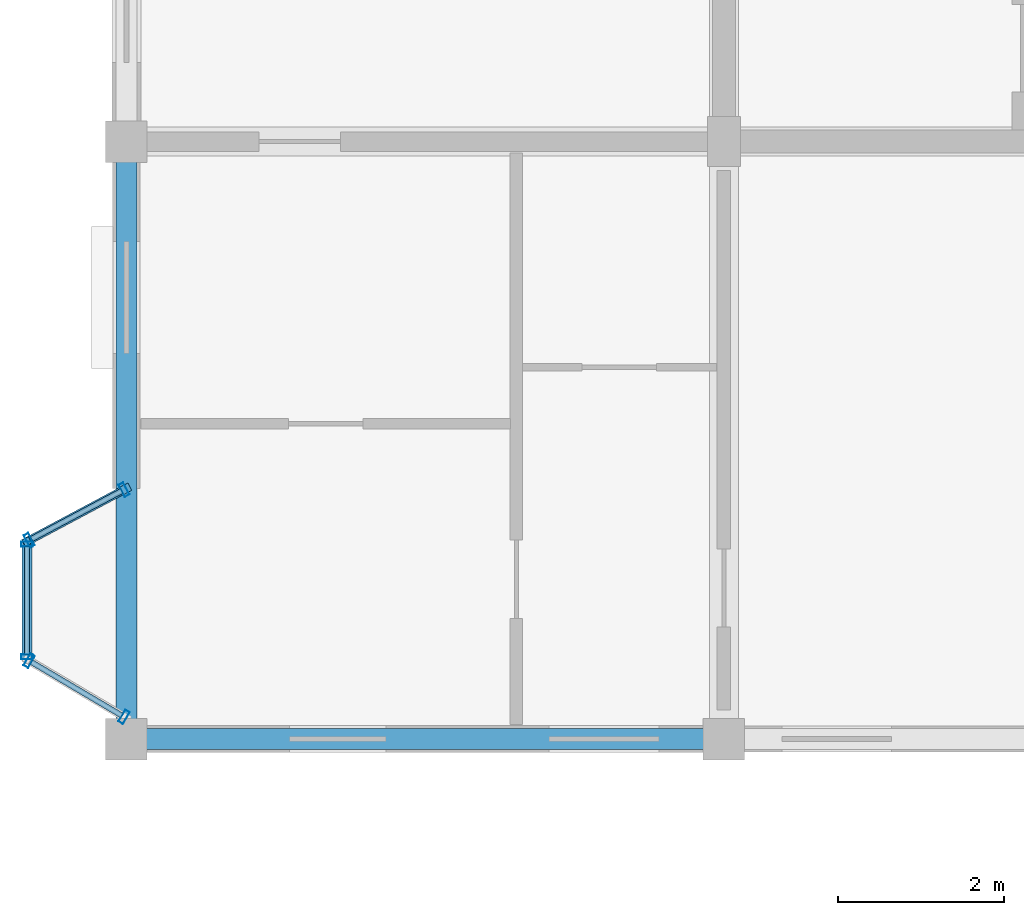
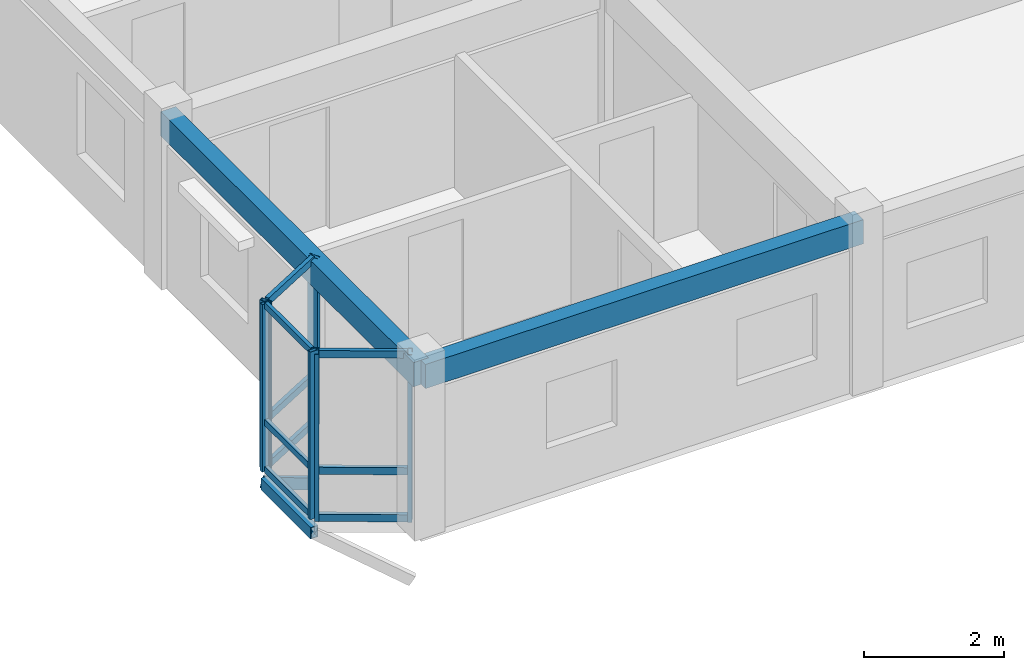
# One storey, part 14 of 70: 17 members, 2 beams, 3 elements without a shape of their own.
"""IFC4 building model written with IfcOpenShell, lengths in metres."""

from ifc_helpers import new_model, si_unit, direction, frame, origin, origin_2d, place, context, subcontext, project, spatial, rectangle, hollow_rectangle, extrude, material, layer, layer_set, material_profile, profile_set, type_object, element, aggregate, save


model = new_model("IFC4")

# Units and contexts
model_context = context("Model", 3, precision=1e-05, world=origin(), true_north=direction((0.0, 1.0)))
body_context = subcontext(model_context, "Body", "Model", "MODEL_VIEW")
ifc_project = project(units=[si_unit("LENGTHUNIT", "METRE"), si_unit("AREAUNIT", "SQUARE_METRE"), si_unit("VOLUMEUNIT", "CUBIC_METRE"), si_unit("PLANEANGLEUNIT", "RADIAN"), si_unit("MASSUNIT", "GRAM", prefix="KILO"), si_unit("THERMODYNAMICTEMPERATUREUNIT", "KELVIN"), si_unit("POWERUNIT", "WATT")], contexts=[model_context])

# Site, building, storey
site_placement = place(None, origin())
site = spatial("IfcSite", under=ifc_project, at=site_placement, CompositionType="ELEMENT")
building_placement = place(site_placement, origin())
building = spatial("IfcBuilding", under=site, at=building_placement, Name="Tavuni Mirador Residences", CompositionType="ELEMENT")
storey_placement = place(building_placement, frame((0.0, 0.0, 23.39990234375)))
storey = spatial("IfcBuildingStorey", under=building, at=storey_placement, Name="L07", CompositionType="ELEMENT", Elevation=23.39990234375)

# Beams
ifc_material_1 = material(Name="Precast concrete C40/50", Category="concrete")
ifc_material_profile_1 = material_profile(ifc_material_1, rectangle(XDim=0.25, YDim=0.419921875, at=origin_2d()), Name="PC 250x420", Category="concrete")
ifc_profile_set_1 = profile_set([ifc_material_profile_1], Name="Precast concrete C40/50")
beam_type = type_object("IfcBeamType", Name="BT-SP420", PredefinedType="SPANDREL", material=ifc_profile_set_1)
for number, where, z_axis, x_axis, name in (
    (1, (3.60009765625, 64.800048828125, 2.7001953125), (1.0, 0.0, 0.0), (0.0, 1.0, 0.0), "BMX-BLK-B-L07-00-00"),
    (2, (3.60009765625, 64.800048828125, 2.7001953125), (0.0, 1.0, 0.0), (-1.0, 0.0, 0.0), "BMY-BLK-B-L07-00-00"),
):
    element("IfcBeam", number, at=place(storey_placement, frame(where, z_axis=z_axis, x_axis=x_axis)), inside=storey, type_object=beam_type, Name=name, PredefinedType="SPANDREL", context=body_context, shape_type="SweptSolid", body=[
        extrude(rectangle(XDim=0.25, YDim=0.419921875, at=origin_2d()), origin(), (0.0, 0.0, 1.0), 7.199951171875),
    ])

# Curtain wall, members
ifc_material_2 = material(Name="Anodised aluminium", Category="aluminium")
ifc_layer_1 = layer(ifc_material_2, 0.175048828125, Name="Anodised aluminium", Category="aluminium")
ifc_layer_set_1 = layer_set([ifc_layer_1], Name="Anodised aluminium")
curtain_wall_type_1 = type_object("IfcCurtainWallType", Name="CWT-MIR-C", PredefinedType="NOTDEFINED", material=ifc_layer_set_1)
curtain_wall_1_placement = place(storey_placement, origin())
curtain_wall_1 = element("IfcCurtainWall", 3, at=curtain_wall_1_placement, inside=storey, type_object=curtain_wall_type_1, Name="CW-MIR-B-W1-L07-MF", PredefinedType="NOTDEFINED")
ifc_material_profile_2 = material_profile(ifc_material_2, hollow_rectangle(XDim=0.06005859375, YDim=0.139892578125, WallThickness=0.00390625, at=origin_2d()), Name="ALU 60x140x4.0", Category="aluminium")
ifc_profile_set_2 = profile_set([ifc_material_profile_2], Name="Anodised aluminium")
member_type_1 = type_object("IfcMemberType", Name="CWM-140", PredefinedType="MULLION", material=ifc_profile_set_2)
member_1_placement = place(storey_placement, frame((2.39990234375, 67.14990234375, 0.0), z_axis=(0.0, 0.0, 1.0), x_axis=(0.0, -1.0, 0.0)))
member_1 = element("IfcMember", 4, at=member_1_placement, type_object=member_type_1, Name="CW-03 mullion 1", PredefinedType="MULLION", context=body_context, shape_type="SweptSolid", body=[
    extrude(hollow_rectangle(XDim=0.06005859375, YDim=0.139892578125, WallThickness=0.00390625, at=origin_2d()), origin(), (0.0, 0.0, 1.0), 2.91015625),
])
member_2_placement = place(storey_placement, frame((2.39990234375, 65.7900390625, 0.0), z_axis=(0.0, 0.0, 1.0), x_axis=(0.0, -1.0, 0.0)))
member_2 = element("IfcMember", 5, at=member_2_placement, type_object=member_type_1, Name="CW-03 mullion 2", PredefinedType="MULLION", context=body_context, shape_type="SweptSolid", body=[
    extrude(hollow_rectangle(XDim=0.06005859375, YDim=0.139892578125, WallThickness=0.00390625, at=origin_2d()), origin(), (0.0, 0.0, 1.0), 2.91015625),
])

ifc_layer_2 = layer(ifc_material_2, 0.14990234375, Name="Anodised aluminium", Category="aluminium")
ifc_layer_set_2 = layer_set([ifc_layer_2], Name="Anodised aluminium")
curtain_wall_type_2 = type_object("IfcCurtainWallType", Name="CWT-MIR-B", PredefinedType="NOTDEFINED", material=ifc_layer_set_2)
curtain_wall_2_placement = place(storey_placement, origin())
curtain_wall_2 = element("IfcCurtainWall", 6, at=curtain_wall_2_placement, inside=storey, type_object=curtain_wall_type_2, Name="CW-MIR-B-W1-L07-M1", PredefinedType="NOTDEFINED")
ifc_material_profile_3 = material_profile(ifc_material_2, hollow_rectangle(XDim=0.06494140625, YDim=0.1650390625, WallThickness=0.00439453125, at=origin_2d()), Name="ALU 65x165x4.5", Category="aluminium")
ifc_profile_set_3 = profile_set([ifc_material_profile_3], Name="Anodised aluminium")
member_type_2 = type_object("IfcMemberType", Name="CWM-165", PredefinedType="MULLION", material=ifc_profile_set_3)
member_3_placement = place(storey_placement, frame((3.5712890625, 67.8046875, 0.0), z_axis=(0.0, 0.0, 1.0), x_axis=(-0.882352941175, -0.470588235296, 0.0)))
member_3 = element("IfcMember", 7, at=member_3_placement, type_object=member_type_2, Name="CW-02 mullion 1", PredefinedType="MULLION", context=body_context, shape_type="SweptSolid", body=[
    extrude(hollow_rectangle(XDim=0.06494140625, YDim=0.1650390625, WallThickness=0.00439453125, at=origin_2d()), origin(), (0.0, 0.0, 1.0), 2.91015625),
])
member_4_placement = place(storey_placement, frame((2.4287109375, 67.1953125, 0.0), z_axis=(0.0, 0.0, 1.0), x_axis=(-0.882352941175, -0.470588235296, 0.0)))
member_4 = element("IfcMember", 8, at=member_4_placement, type_object=member_type_2, Name="CW-02 mullion 2", PredefinedType="MULLION", context=body_context, shape_type="SweptSolid", body=[
    extrude(hollow_rectangle(XDim=0.06494140625, YDim=0.1650390625, WallThickness=0.00439453125, at=origin_2d()), origin(), (0.0, 0.0, 1.0), 2.91015625),
])

ifc_layer_3 = layer(ifc_material_2, 0.159912109375, Name="Anodised aluminium", Category="aluminium")
ifc_layer_set_3 = layer_set([ifc_layer_3], Name="Anodised aluminium")
curtain_wall_type_3 = type_object("IfcCurtainWallType", Name="CWT-MIR-D", PredefinedType="NOTDEFINED", material=ifc_layer_set_3)
curtain_wall_3_placement = place(storey_placement, origin())
curtain_wall_3 = element("IfcCurtainWall", 9, at=curtain_wall_3_placement, inside=storey, type_object=curtain_wall_type_3, Name="CW-MIR-B-W1-L07-M2", PredefinedType="NOTDEFINED")
member_5_placement = place(storey_placement, frame((2.427978515625, 65.743408203125, 0.0), z_axis=(0.0, 0.0, 1.0), x_axis=(0.860640830284, -0.509212491254, 0.0)))
member_5 = element("IfcMember", 10, at=member_5_placement, type_object=member_type_2, Name="CW-04 mullion 1", PredefinedType="MULLION", context=body_context, shape_type="SweptSolid", body=[
    extrude(hollow_rectangle(XDim=0.06494140625, YDim=0.1650390625, WallThickness=0.00439453125, at=origin_2d()), origin(), (0.0, 0.0, 1.0), 2.91015625),
])
member_6_placement = place(storey_placement, frame((3.572021484375, 65.066650390625, 0.0), z_axis=(0.0, 0.0, 1.0), x_axis=(0.860640830284, -0.509212491254, 0.0)))
member_6 = element("IfcMember", 11, at=member_6_placement, type_object=member_type_2, Name="CW-04 mullion 2", PredefinedType="MULLION", context=body_context, shape_type="SweptSolid", body=[
    extrude(hollow_rectangle(XDim=0.06494140625, YDim=0.1650390625, WallThickness=0.00439453125, at=origin_2d()), origin(), (0.0, 0.0, 1.0), 2.91015625),
])

# Member
ifc_material_profile_4 = material_profile(ifc_material_2, hollow_rectangle(XDim=0.06005859375, YDim=0.110107421875, WallThickness=0.00390625, at=origin_2d()), Name="ALU 60x110x4.0", Category="aluminium")
ifc_profile_set_4 = profile_set([ifc_material_profile_4], Name="Anodised aluminium")
member_type_3 = type_object("IfcMemberType", Name="CWT-110", PredefinedType="USERDEFINED", material=ifc_profile_set_4)
member_7_placement = place(storey_placement, frame((2.39990234375, 67.1201171875, 0.030029296875), z_axis=(0.0, -1.0, 0.0), x_axis=(1.0, 0.0, 0.0)))
member_7 = element("IfcMember", 12, at=member_7_placement, type_object=member_type_3, Name="CW-03 transom 1.1", ObjectType="TRANSOM", PredefinedType="USERDEFINED", context=body_context, shape_type="SweptSolid", body=[
    extrude(hollow_rectangle(XDim=0.06005859375, YDim=0.110107421875, WallThickness=0.00390625, at=origin_2d()), origin(), (0.0, 0.0, 1.0), 1.300048828125),
])

member_8_placement = place(storey_placement, frame((2.39990234375, 67.1201171875, 0.85009765625), z_axis=(0.0, -1.0, 0.0), x_axis=(1.0, 0.0, 0.0)))
member_8 = element("IfcMember", 13, at=member_8_placement, type_object=member_type_3, Name="CW-03 transom 1.2", ObjectType="TRANSOM", PredefinedType="USERDEFINED", context=body_context, shape_type="SweptSolid", body=[
    extrude(hollow_rectangle(XDim=0.06005859375, YDim=0.110107421875, WallThickness=0.00390625, at=origin_2d()), origin(), (0.0, 0.0, 1.0), 1.300048828125),
])

member_9_placement = place(storey_placement, frame((2.39990234375, 67.1201171875, 2.880126953125), z_axis=(0.0, -1.0, 0.0), x_axis=(1.0, 0.0, 0.0)))
member_9 = element("IfcMember", 14, at=member_9_placement, type_object=member_type_3, Name="CW-03 transom 1.3", ObjectType="TRANSOM", PredefinedType="USERDEFINED", context=body_context, shape_type="SweptSolid", body=[
    extrude(hollow_rectangle(XDim=0.06005859375, YDim=0.110107421875, WallThickness=0.00390625, at=origin_2d()), origin(), (0.0, 0.0, 1.0), 1.300048828125),
])

aggregate(curtain_wall_1, [member_1, member_2, member_7, member_8, member_9])

ifc_material_profile_5 = material_profile(ifc_material_2, hollow_rectangle(XDim=0.06494140625, YDim=0.125, WallThickness=0.00439453125, at=origin_2d()), Name="ALU 65x125x4.5", Category="aluminium")
ifc_profile_set_5 = profile_set([ifc_material_profile_5], Name="Anodised aluminium")
member_type_4 = type_object("IfcMemberType", Name="CWT-125", PredefinedType="USERDEFINED", material=ifc_profile_set_5)
member_10_placement = place(storey_placement, frame((3.542724609375, 67.789306640625, 0.03271484375), z_axis=(-0.882451819392, -0.470402791714, 0.0), x_axis=(0.470402791714, -0.882451819392, 0.0)))
member_10 = element("IfcMember", 15, at=member_10_placement, type_object=member_type_4, Name="CW-02 transom 1.1", ObjectType="TRANSOM", PredefinedType="USERDEFINED", context=body_context, shape_type="SweptSolid", body=[
    extrude(hollow_rectangle(XDim=0.06494140625, YDim=0.125, WallThickness=0.00439453125, at=origin_2d()), origin(), (0.0, 0.0, 1.0), 1.22998046875),
])

member_11_placement = place(storey_placement, frame((3.542724609375, 67.789306640625, 0.85009765625), z_axis=(-0.882451819392, -0.470402791714, 0.0), x_axis=(0.470402791714, -0.882451819392, 0.0)))
member_11 = element("IfcMember", 16, at=member_11_placement, type_object=member_type_4, Name="CW-02 transom 1.2", ObjectType="TRANSOM", PredefinedType="USERDEFINED", context=body_context, shape_type="SweptSolid", body=[
    extrude(hollow_rectangle(XDim=0.06494140625, YDim=0.125, WallThickness=0.00439453125, at=origin_2d()), origin(), (0.0, 0.0, 1.0), 1.22998046875),
])

member_12_placement = place(storey_placement, frame((3.542724609375, 67.789306640625, 2.877685546875), z_axis=(-0.882451819392, -0.470402791714, 0.0), x_axis=(0.470402791714, -0.882451819392, 0.0)))
member_12 = element("IfcMember", 17, at=member_12_placement, type_object=member_type_4, Name="CW-02 transom 1.3", ObjectType="TRANSOM", PredefinedType="USERDEFINED", context=body_context, shape_type="SweptSolid", body=[
    extrude(hollow_rectangle(XDim=0.06494140625, YDim=0.125, WallThickness=0.00439453125, at=origin_2d()), origin(), (0.0, 0.0, 1.0), 1.22998046875),
])

aggregate(curtain_wall_2, [member_3, member_4, member_10, member_11, member_12])

member_13_placement = place(storey_placement, frame((2.4560546875, 65.726806640625, 0.03271484375), z_axis=(0.86059568564, -0.509288784343, 0.0), x_axis=(0.509288784343, 0.86059568564, 0.0)))
member_13 = element("IfcMember", 18, at=member_13_placement, type_object=member_type_4, Name="CW-04 transom 1.1", ObjectType="TRANSOM", PredefinedType="USERDEFINED", context=body_context, shape_type="SweptSolid", body=[
    extrude(hollow_rectangle(XDim=0.06494140625, YDim=0.125, WallThickness=0.00439453125, at=origin_2d()), origin(), (0.0, 0.0, 1.0), 1.26416015625),
])

member_14_placement = place(storey_placement, frame((2.4560546875, 65.726806640625, 0.85009765625), z_axis=(0.86059568564, -0.509288784343, 0.0), x_axis=(0.509288784343, 0.86059568564, 0.0)))
member_14 = element("IfcMember", 19, at=member_14_placement, type_object=member_type_4, Name="CW-04 transom 1.2", ObjectType="TRANSOM", PredefinedType="USERDEFINED", context=body_context, shape_type="SweptSolid", body=[
    extrude(hollow_rectangle(XDim=0.06494140625, YDim=0.125, WallThickness=0.00439453125, at=origin_2d()), origin(), (0.0, 0.0, 1.0), 1.26416015625),
])

member_15_placement = place(storey_placement, frame((2.4560546875, 65.726806640625, 2.877685546875), z_axis=(0.86059568564, -0.509288784343, 0.0), x_axis=(0.509288784343, 0.86059568564, 0.0)))
member_15 = element("IfcMember", 20, at=member_15_placement, type_object=member_type_4, Name="CW-04 transom 1.3", ObjectType="TRANSOM", PredefinedType="USERDEFINED", context=body_context, shape_type="SweptSolid", body=[
    extrude(hollow_rectangle(XDim=0.06494140625, YDim=0.125, WallThickness=0.00439453125, at=origin_2d()), origin(), (0.0, 0.0, 1.0), 1.26416015625),
])

aggregate(curtain_wall_3, [member_5, member_6, member_13, member_14, member_15])

# Members
ifc_material_3 = material(Name="Structural steel S355", Category="steel")
ifc_material_profile_6 = material_profile(ifc_material_3, hollow_rectangle(XDim=0.10009765625, YDim=0.179931640625, WallThickness=0.008056640625, at=origin_2d()), Name="RHS 180x100x8.0", Category="steel")
ifc_profile_set_6 = profile_set([ifc_material_profile_6], Name="Structural steel S355")
member_type_5 = type_object("IfcMemberType", Name="MT-BR-RHS180", PredefinedType="BRACE", material=ifc_profile_set_6)
member_16_placement = place(storey_placement, frame((3.60009765625, 67.820068359375, -1.0498046875), z_axis=(-0.758154373921, -0.404369562331, 0.511553714055), x_axis=(0.470606866739, -0.882343004153, 0.0)))
element("IfcMember", 21, at=member_16_placement, inside=storey, type_object=member_type_5, Name="MBRK-MIR-B-W1-L07-2", PredefinedType="BRACE", context=body_context, shape_type="SweptSolid", body=[
    extrude(hollow_rectangle(XDim=0.10009765625, YDim=0.179931640625, WallThickness=0.008056640625, at=origin_2d()), origin(), (0.0, 0.0, 1.0), 1.5830078125),
])
ifc_material_profile_7 = material_profile(ifc_material_3, hollow_rectangle(XDim=0.1201171875, YDim=0.199951171875, WallThickness=0.010009765625, at=origin_2d()), Name="RHS 200x120x10.0", Category="steel")
ifc_profile_set_7 = profile_set([ifc_material_profile_7], Name="Structural steel S355")
member_type_6 = type_object("IfcMemberType", Name="MT-ST-RHS200", PredefinedType="STRUT", material=ifc_profile_set_7)
member_17_placement = place(storey_placement, frame((2.39990234375, 65.760009765625, -0.239990234375), z_axis=(0.0, 1.0, 0.0), x_axis=(-1.0, 0.0, 0.0)))
element("IfcMember", 22, at=member_17_placement, inside=storey, type_object=member_type_6, Name="MRIM-MIR-B-W1-L07", PredefinedType="STRUT", context=body_context, shape_type="SweptSolid", body=[
    extrude(hollow_rectangle(XDim=0.1201171875, YDim=0.199951171875, WallThickness=0.010009765625, at=origin_2d()), origin(), (0.0, 0.0, 1.0), 1.419921875),
])

save(model, "model.ifc")
